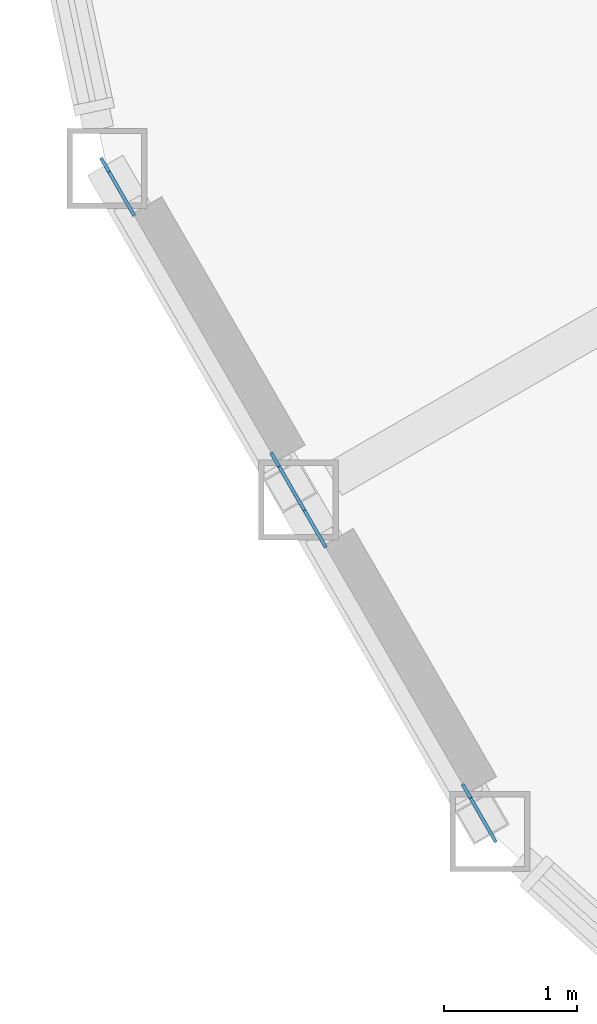
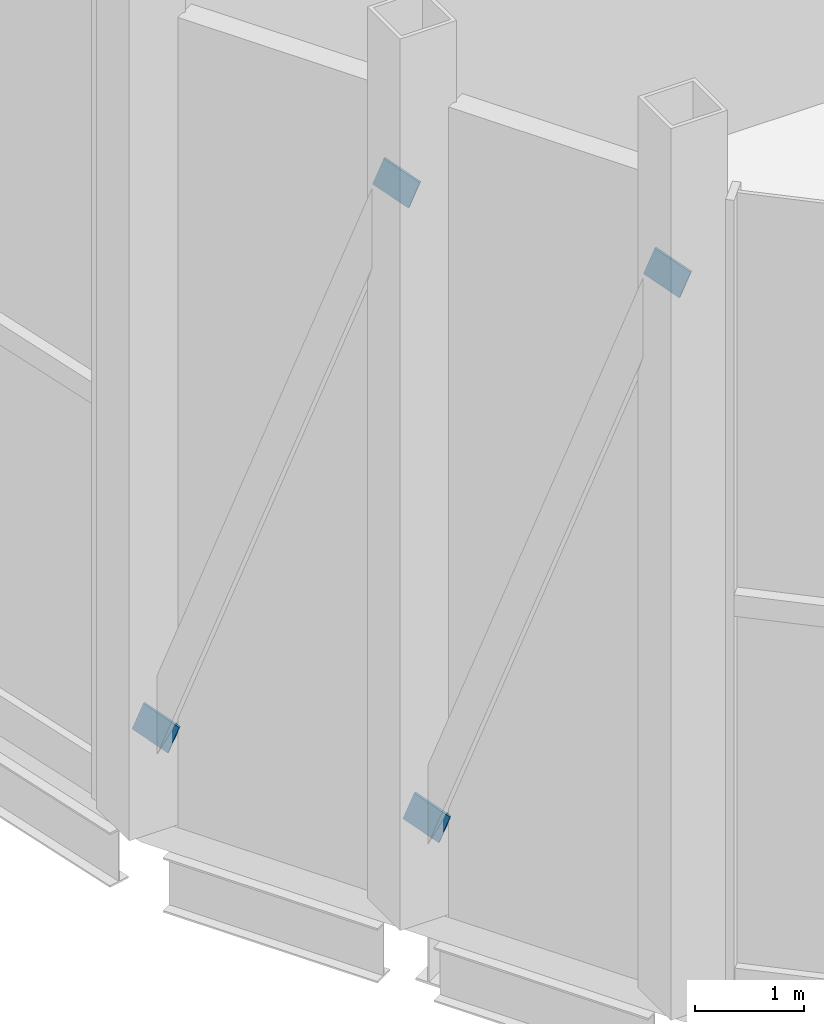
# One storey, part 12 of 18: 4 discrete accessories.
"""IFC4 building model written with IfcOpenShell, lengths in metres."""

from ifc_helpers import new_model, si_unit, direction, frame, origin, origin_2d, place, context, subcontext, project, spatial, rectangle, extrude, material, material_profile, profile_set, type_object, element, save


model = new_model("IFC4")

# Units and contexts
model_context = context("Model", 3, precision=1e-05, world=origin(), true_north=direction((0.0, 1.0)))
body_context = subcontext(model_context, "Body", "Model", "MODEL_VIEW")
ifc_project = project(units=[si_unit("LENGTHUNIT", "METRE"), si_unit("AREAUNIT", "SQUARE_METRE"), si_unit("VOLUMEUNIT", "CUBIC_METRE"), si_unit("PLANEANGLEUNIT", "RADIAN"), si_unit("MASSUNIT", "GRAM", prefix="KILO")], contexts=[model_context])

# Site, building, storey
site_placement = place(None, origin())
site = spatial("IfcSite", under=ifc_project, at=site_placement, CompositionType="ELEMENT")
building_placement = place(site_placement, origin())
building = spatial("IfcBuilding", under=site, at=building_placement, Name="Cormorant Prow Tower", CompositionType="ELEMENT")
storey_placement = place(building_placement, frame((0.0, 0.0, 346.0)))
storey = spatial("IfcBuildingStorey", under=building, at=storey_placement, Name="L78", CompositionType="ELEMENT", Elevation=346.0)

# Discrete accessories
ifc_material = material(Name="Structural steel ASTM A500 Gr C", Category="steel")
ifc_material_profile = material_profile(ifc_material, rectangle(XDim=0.02490234375, YDim=0.405029296875, at=origin_2d()), Name="Gusset plate 25x405")
ifc_profile_set = profile_set([ifc_material_profile], Name="Structural steel ASTM A500 Gr C")
discrete_accessory_type = type_object("IfcDiscreteAccessoryType", Name="Gusset plate 25x405", PredefinedType="BRACKET", material=ifc_profile_set)
for number, where, z_axis, x_axis, name in (
    (1, (-28.7587890625, -13.54052734375, 1.2060546875), (-0.170904672713, 0.296467289401, -0.939626914876), (-0.866355221147, -0.499428303955, 0.0), "Gusset plate GP3 L78.WSW00.g0"),
    (2, (-27.542724609375, -15.646728515625, 7.8818359375), (0.171581746653, -0.296431879381, 0.939514685943), (0.865472755765, 0.500955995102, 0.0), "Gusset plate GP3 L78.WSW00.g1"),
    (3, (-27.32177734375, -16.029296875, 1.2060546875), (-0.171581746653, 0.296431879381, -0.939514685943), (-0.865472755765, -0.500955995102, 0.0), "Gusset plate GP3 L78.WSW01.g0"),
    (4, (-26.105712890625, -18.135498046875, 7.8818359375), (0.170904672713, -0.296467289401, 0.939626914876), (0.866355221147, 0.499428303955, 0.0), "Gusset plate GP3 L78.WSW01.g1"),
):
    element("IfcDiscreteAccessory", number, at=place(storey_placement, frame(where, z_axis=z_axis, x_axis=x_axis)), inside=storey, type_object=discrete_accessory_type, Name=name, PredefinedType="BRACKET", context=body_context, shape_type="SweptSolid", body=[
        extrude(rectangle(XDim=0.02490234375, YDim=0.405029296875, at=origin_2d()), origin(), (0.0, 0.0, 1.0), 0.35009765625),
    ])

save(model, "model.ifc")
